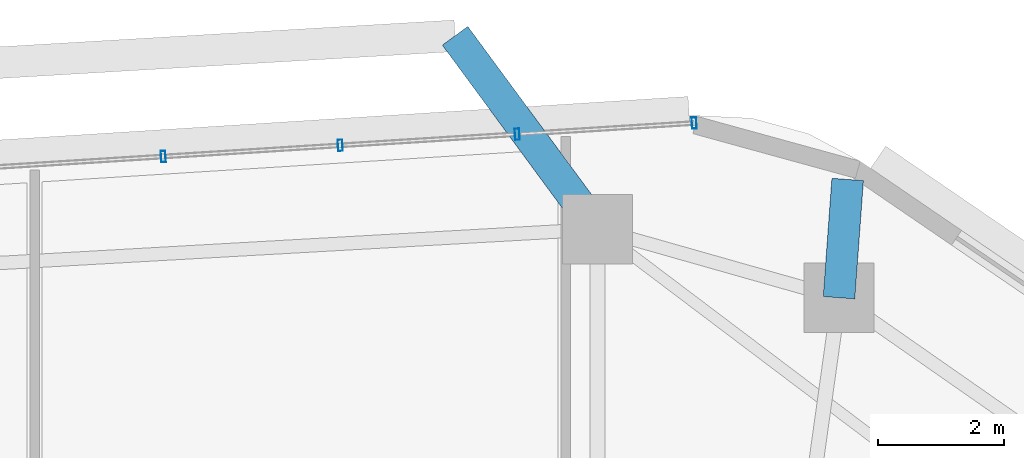
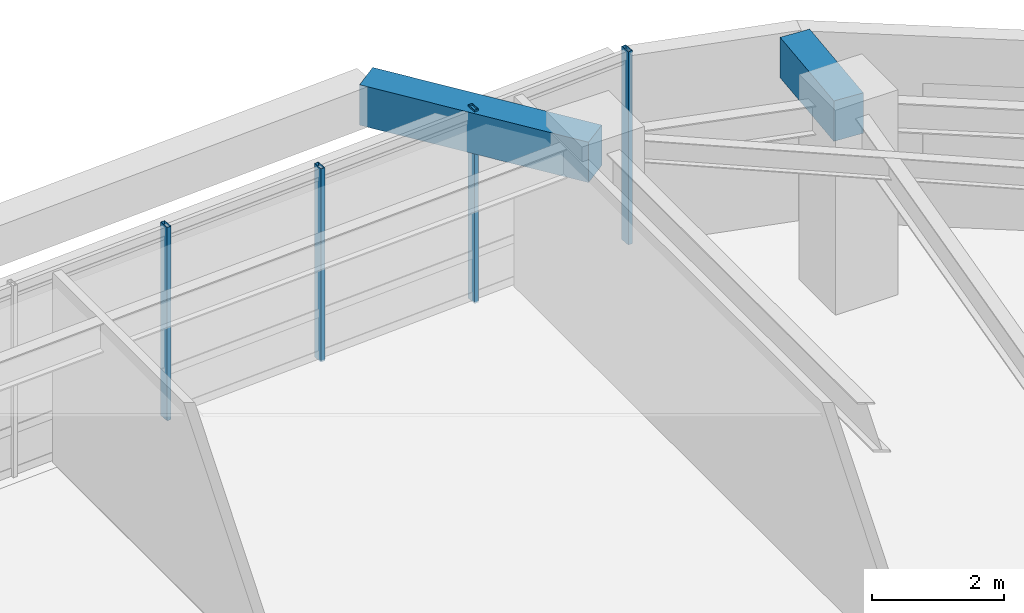
# One storey, part 5 of 13: 4 members, 2 beams, 1 element without a shape of its own.
"""IFC4 building model written with IfcOpenShell, lengths in metres."""

import ifcopenshell
import ifcopenshell.guid

model = None  # the IFC model being written
_history = None  # IfcOwnerHistory: only IFC2X3 demands one
_inside = {}  # id of a spatial element -> (the spatial element, [elements in it])
_under = {}  # id of a project, library or spatial element -> (it, [spatial elements below it])
_declared = {}  # id of a project -> (the project, [libraries it declares])
_typed = {}  # id of a type object -> (the type object, [elements of that type])
_made_of = {}  # id of a material, layer set ... -> (it, [elements and type objects made of it])


def new_model(schema):
    """Start an empty IFC model of exactly this schema.

    Asked for "IFC4X3", IfcOpenShell would pick the latest addendum, in which some entities
    have other attributes; the version numbers below select the first issue.
    IFC2X3 requires an IfcOwnerHistory on every rooted entity: one is made here for all.
    """
    global model, _history
    if schema == "IFC4X3":
        model = ifcopenshell.file(schema_version=(4, 3, 0, 0))
    else:
        model = ifcopenshell.file(schema=schema)
    _inside.clear()
    _under.clear()
    _declared.clear()
    _typed.clear()
    _made_of.clear()
    _history = None
    if model.schema == "IFC2X3":
        org = make("IfcOrganization", Name="unknown")
        user = make(
            "IfcPersonAndOrganization",
            ThePerson=make("IfcPerson", FamilyName="unknown"),
            TheOrganization=org,
        )
        app = make(
            "IfcApplication",
            ApplicationDeveloper=org,
            Version="unknown",
            ApplicationFullName="unknown",
            ApplicationIdentifier="unknown",
        )
        _history = make(
            "IfcOwnerHistory",
            OwningUser=user,
            OwningApplication=app,
            ChangeAction="ADDED",
            CreationDate=0,
        )
    return model


def make(cls, **values):
    """One entity of the class cls with the attributes given. An attribute that is None is left unset."""
    return model.create_entity(
        cls, **{name: value for name, value in values.items() if value is not None}
    )


def rooted(cls, **values):
    """An entity with a GlobalId (a new one), such as an element, a storey or a relation."""
    return make(cls, GlobalId=ifcopenshell.guid.new(), OwnerHistory=_history, **values)


def si_unit(unit_type, name, prefix=None):
    """IfcSIUnit, for example si_unit("LENGTHUNIT", "METRE", prefix="MILLI")."""
    return make("IfcSIUnit", UnitType=unit_type, Prefix=prefix, Name=name)


def assignment(units):
    """IfcUnitAssignment: the units of a project."""
    return None if units is None else make("IfcUnitAssignment", Units=units)


def point(xyz):
    """IfcCartesianPoint."""
    return None if xyz is None else make("IfcCartesianPoint", Coordinates=xyz)


def direction(xyz):
    """IfcDirection."""
    return None if xyz is None else make("IfcDirection", DirectionRatios=xyz)


def frame(location, z_axis=None, x_axis=None):
    """IfcAxis2Placement3D, a coordinate frame: its origin and axes. An axis left out is left unset."""
    return make(
        "IfcAxis2Placement3D",
        Location=point(location),
        Axis=direction(z_axis),
        RefDirection=direction(x_axis),
    )


def frame_2d(location, x_axis=None):
    """IfcAxis2Placement2D, a coordinate frame in the plane: its origin and x axis."""
    return make(
        "IfcAxis2Placement2D", Location=point(location), RefDirection=direction(x_axis)
    )


def origin():
    """The frame at (0, 0, 0) with its axes left unset."""
    return frame((0.0, 0.0, 0.0))


def origin_2d():
    """The frame at (0, 0) in the plane with its x axis left unset."""
    return frame_2d((0.0, 0.0))


def place(relative_to, where):
    """IfcLocalPlacement: puts the frame where relative to a parent placement (None: the world)."""
    return make(
        "IfcLocalPlacement", PlacementRelTo=relative_to, RelativePlacement=where
    )


def context(
    kind, dimensions, precision=None, world=None, true_north=None, identifier=None
):
    """IfcGeometricRepresentationContext, for example the 3D "Model" context."""
    return make(
        "IfcGeometricRepresentationContext",
        ContextIdentifier=identifier,
        ContextType=kind,
        CoordinateSpaceDimension=dimensions,
        Precision=precision,
        WorldCoordinateSystem=world,
        TrueNorth=true_north,
    )


def subcontext(parent, identifier, kind, view, scale=None):
    """IfcGeometricRepresentationSubContext, for example "Body" below "Model"."""
    return make(
        "IfcGeometricRepresentationSubContext",
        ContextIdentifier=identifier,
        ContextType=kind,
        ParentContext=parent,
        TargetScale=scale,
        TargetView=view,
    )


def project(units=None, contexts=None):
    """IfcProject with its units and contexts."""
    return rooted(
        "IfcProject",
        Name="project",
        RepresentationContexts=contexts,
        UnitsInContext=assignment(units),
    )


def spatial(cls, under=None, at=None, **own):
    """A site, building, storey or space (cls), placed at a placement, below another one or the project."""
    s = rooted(cls, ObjectPlacement=at, **own)
    if under is not None:
        _under.setdefault(under.id(), (under, []))[1].append(s)
    return s


def profile(cls, at=None, kind="AREA", **sizes):
    """A parametric profile (cls). Its sizes go by their IFC names, for example OverallWidth=200.0."""
    return make(cls, ProfileType=kind, Position=at, **sizes)


def rectangle(**sizes):
    """IfcRectangleProfileDef."""
    return profile("IfcRectangleProfileDef", **sizes)


def hollow_rectangle(**sizes):
    """IfcRectangleHollowProfileDef."""
    return profile("IfcRectangleHollowProfileDef", **sizes)


def extrude(swept, where, along, depth):
    """IfcExtrudedAreaSolid: the profile swept, set in the frame where, extruded along a direction by depth."""
    return make(
        "IfcExtrudedAreaSolid",
        SweptArea=swept,
        Position=where,
        ExtrudedDirection=direction(along),
        Depth=depth,
    )


def shape(context_of_items, identifier, shape_type, items):
    """IfcShapeRepresentation: the items that make up one representation, for example the "Body"."""
    return make(
        "IfcShapeRepresentation",
        ContextOfItems=context_of_items,
        RepresentationIdentifier=identifier,
        RepresentationType=shape_type,
        Items=items,
    )


def material(Name=None, Category=None):
    """IfcMaterial."""
    return make("IfcMaterial", Name=Name, Category=Category)


def material_profile(
    of_material, cross_section, Name=None, Category=None, Priority=None
):
    """IfcMaterialProfile: a cross section and its material."""
    return make(
        "IfcMaterialProfile",
        Name=Name,
        Material=of_material,
        Profile=cross_section,
        Priority=Priority,
        Category=Category,
    )


def profile_set(profiles, Name=None, composite=None):
    """IfcMaterialProfileSet."""
    return make(
        "IfcMaterialProfileSet",
        Name=Name,
        MaterialProfiles=profiles,
        CompositeProfile=composite,
    )


def made_of(thing, what):
    """Note that an element or type object is made of a material, layer set ...; save() writes the relation."""
    if what is not None:
        _made_of.setdefault(what.id(), (what, []))[1].append(thing)
    return thing


def type_object(cls, material=None, **own):
    """A type object (cls), such as IfcWallType, which elements share."""
    return made_of(rooted(cls, **own), material)


def element(
    cls,
    number,
    at=None,
    inside=None,
    cuts=None,
    type_object=None,
    material=None,
    context=None,
    identifier="Body",
    shape_type=None,
    held_by="IfcProductDefinitionShape",
    body=None,
    shapes=None,
    **own,
):
    """One element of the class cls, such as IfcWall. Its Tag is "e" and its number.

    at: its placement. inside: the storey or other place that contains it. cuts: it is an
    opening in that element (IfcRelVoidsElement). A single representation is given by context,
    identifier, shape_type and body (its items); several are given by shapes. held_by: the class
    of the entity that holds the representations. save() writes the other relations.
    """
    e = rooted(cls, Tag="e%d" % number, ObjectPlacement=at, **own)
    if body is not None:
        shapes = [shape(context, identifier, shape_type, body)]
    if shapes is not None:
        e.Representation = make(held_by, Representations=shapes)
    if inside is not None:
        _inside.setdefault(inside.id(), (inside, []))[1].append(e)
    if cuts is not None:
        rooted(
            "IfcRelVoidsElement", RelatingBuildingElement=cuts, RelatedOpeningElement=e
        )
    if type_object is not None:
        _typed.setdefault(type_object.id(), (type_object, []))[1].append(e)
    return made_of(e, material)


def aggregate(whole, parts):
    """IfcRelAggregates: a whole, such as a stair, and the parts it consists of."""
    return rooted("IfcRelAggregates", RelatingObject=whole, RelatedObjects=parts)


def save(model, path):
    """Write the relations noted so far, then the file.

    IfcRelAggregates (storeys below a building ...), IfcRelContainedInSpatialStructure (elements
    in a storey), IfcRelDefinesByType, IfcRelAssociatesMaterial and IfcRelDeclares: one each for
    every whole, place, type object, material and project.
    """
    for whole, parts in _under.values():
        aggregate(whole, parts)
    for where, things in _inside.values():
        rooted(
            "IfcRelContainedInSpatialStructure",
            RelatedElements=things,
            RelatingStructure=where,
        )
    for kind, things in _typed.values():
        rooted("IfcRelDefinesByType", RelatedObjects=things, RelatingType=kind)
    for what, things in _made_of.values():
        rooted("IfcRelAssociatesMaterial", RelatedObjects=things, RelatingMaterial=what)
    for by, libraries in _declared.values():
        rooted("IfcRelDeclares", RelatingContext=by, RelatedDefinitions=libraries)
    model.write(path)


model = new_model("IFC4")

# Units and contexts
model_context = context("Model", 3, precision=1e-05, world=origin(), true_north=direction((0.0, 1.0)))
body_context = subcontext(model_context, "Body", "Model", "MODEL_VIEW")
ifc_project = project(units=[si_unit("LENGTHUNIT", "METRE"), si_unit("AREAUNIT", "SQUARE_METRE"), si_unit("VOLUMEUNIT", "CUBIC_METRE"), si_unit("PLANEANGLEUNIT", "RADIAN"), si_unit("MASSUNIT", "GRAM", prefix="KILO")], contexts=[model_context])

# Site, building, storey
site_placement = place(None, origin())
site = spatial("IfcSite", under=ifc_project, at=site_placement, CompositionType="ELEMENT")
building_placement = place(site_placement, origin())
building = spatial("IfcBuilding", under=site, at=building_placement, Name="Zulverin Broadcast Headquarters", CompositionType="ELEMENT")
storey_placement = place(building_placement, frame((0.0, 0.0, 101.0)))
storey = spatial("IfcBuildingStorey", under=building, at=storey_placement, Name="L25", CompositionType="ELEMENT", Elevation=101.0)

# Beams
ifc_material_1 = material(Name="Concrete C40/50", Category="concrete")
ifc_material_profile_1 = material_profile(ifc_material_1, rectangle(XDim=0.5, YDim=0.75, at=origin_2d()), Name="Concrete C40/50", Category="concrete")
ifc_profile_set_1 = profile_set([ifc_material_profile_1], Name="Concrete C40/50")
beam_type = type_object("IfcBeamType", Name="BM-RC-500x750", PredefinedType="BEAM", material=ifc_profile_set_1)
beam_1_placement = place(storey_placement, frame((50.121826171875, 46.325927734375, 3.14990234375), z_axis=(0.073023006252, 0.997330256514, 0.0), x_axis=(-0.997330256514, 0.073023006252, 0.0)))
element("IfcBeam", 1, at=beam_1_placement, inside=storey, type_object=beam_type, Name="L26 Plate Overhang Back-Spanned Beam OVR-08", PredefinedType="BEAM", context=body_context, shape_type="SweptSolid", body=[
    extrude(rectangle(XDim=0.5, YDim=0.75, at=origin_2d()), origin(), (0.0, 0.0, 1.0), 1.875732421875),
])
beam_2_placement = place(storey_placement, frame((46.30224609375, 47.4091796875, 3.14990234375), z_axis=(-0.592925064887, 0.805257640404, 0.0), x_axis=(-0.805257640404, -0.592925064887, 0.0)))
element("IfcBeam", 2, at=beam_2_placement, inside=storey, type_object=beam_type, Name="L26 Balcony Column-Framed Cantilever BAL_N-1", PredefinedType="BEAM", context=body_context, shape_type="SweptSolid", body=[
    extrude(rectangle(XDim=0.5, YDim=0.75, at=origin_2d()), origin(), (0.0, 0.0, 1.0), 3.800048828125),
])

# Curtain wall, members
ifc_material_2 = material(Name="Low-zone ribbon unitised curtain wall", Category="aluminium")
curtain_wall_type = type_object("IfcCurtainWallType", Name="CW-TWR-LOW", PredefinedType="USERDEFINED", material=ifc_material_2)
curtain_wall_placement = place(storey_placement, origin())
curtain_wall = element("IfcCurtainWall", 3, at=curtain_wall_placement, inside=storey, type_object=curtain_wall_type, Name="L25 Unitised Curtain Wall CW-L25-E5", ObjectType="UNITISED CURTAIN WALL", PredefinedType="USERDEFINED")
ifc_material_3 = material(Name="Anodized pale-metal aluminium alloy 6063-T6", Category="aluminium")
ifc_material_profile_2 = material_profile(ifc_material_3, hollow_rectangle(XDim=0.074951171875, YDim=0.179931640625, WallThickness=0.0048828125, at=origin_2d()), Name="Anodized pale-metal aluminium alloy 6063-T6", Category="aluminium")
ifc_profile_set_2 = profile_set([ifc_material_profile_2], Name="Anodized pale-metal aluminium alloy 6063-T6")
member_type = type_object("IfcMemberType", Name="CW-MUL-180", PredefinedType="MULLION", material=ifc_profile_set_2)
member_1_placement = place(storey_placement, frame((47.83056640625, 49.08935546875, -0.030029296875), z_axis=(0.0, 0.0, 1.0), x_axis=(-0.998017621976, -0.062935095345, 0.0)))
member_1 = element("IfcMember", 4, at=member_1_placement, type_object=member_type, Name="CW-L25-E5 Mullion 00", PredefinedType="MULLION", context=body_context, shape_type="SweptSolid", body=[
    extrude(hollow_rectangle(XDim=0.074951171875, YDim=0.179931640625, WallThickness=0.0048828125, at=origin_2d()), origin(), (0.0, 0.0, 1.0), 3.5849609375),
])
member_2_placement = place(storey_placement, frame((45.031982421875, 48.912841796875, -0.030029296875), z_axis=(0.0, 0.0, 1.0), x_axis=(-0.998017621976, -0.062935095345, 0.0)))
member_2 = element("IfcMember", 5, at=member_2_placement, type_object=member_type, Name="CW-L25-E5 Mullion 01", PredefinedType="MULLION", context=body_context, shape_type="SweptSolid", body=[
    extrude(hollow_rectangle(XDim=0.074951171875, YDim=0.179931640625, WallThickness=0.0048828125, at=origin_2d()), origin(), (0.0, 0.0, 1.0), 3.5849609375),
])
member_3_placement = place(storey_placement, frame((42.233154296875, 48.736328125, -0.030029296875), z_axis=(0.0, 0.0, 1.0), x_axis=(-0.998017621976, -0.062935095345, 0.0)))
member_3 = element("IfcMember", 6, at=member_3_placement, type_object=member_type, Name="CW-L25-E5 Mullion 02", PredefinedType="MULLION", context=body_context, shape_type="SweptSolid", body=[
    extrude(hollow_rectangle(XDim=0.074951171875, YDim=0.179931640625, WallThickness=0.0048828125, at=origin_2d()), origin(), (0.0, 0.0, 1.0), 3.5849609375),
])
member_4_placement = place(storey_placement, frame((39.4345703125, 48.559814453125, -0.030029296875), z_axis=(0.0, 0.0, 1.0), x_axis=(-0.998017621976, -0.062935095345, 0.0)))
member_4 = element("IfcMember", 7, at=member_4_placement, type_object=member_type, Name="CW-L25-E5 Mullion 03", PredefinedType="MULLION", context=body_context, shape_type="SweptSolid", body=[
    extrude(hollow_rectangle(XDim=0.074951171875, YDim=0.179931640625, WallThickness=0.0048828125, at=origin_2d()), origin(), (0.0, 0.0, 1.0), 3.5849609375),
])
aggregate(curtain_wall, [member_1, member_2, member_3, member_4])

save(model, "model.ifc")
